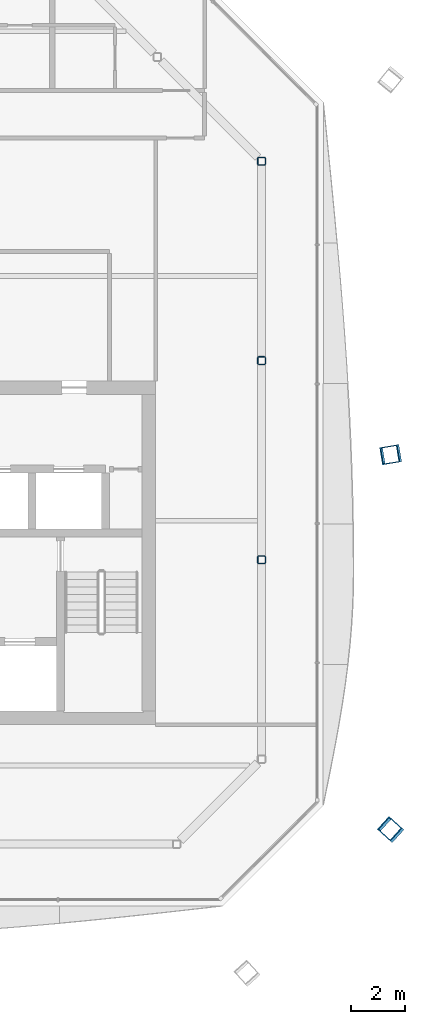
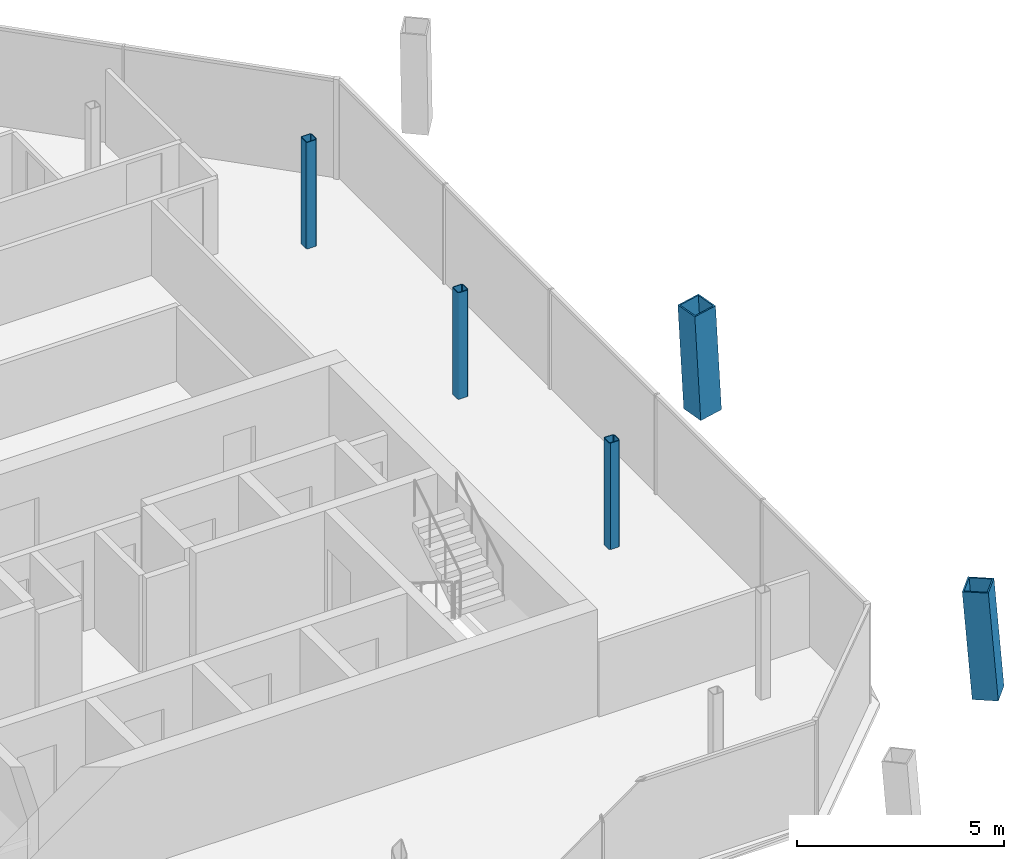
# One storey, part 2 of 17: 5 columns.
"""IFC4 building model written with IfcOpenShell, lengths in metres."""

from ifc_helpers import new_model, si_unit, direction, frame, origin, origin_2d, place, context, subcontext, project, spatial, hollow_rectangle, extrude, material, material_profile, profile_set, type_object, element, save


model = new_model("IFC4")

# Units and contexts
model_context = context("Model", 3, precision=1e-05, world=origin(), true_north=direction((0.0, 1.0)))
body_context = subcontext(model_context, "Body", "Model", "MODEL_VIEW")
ifc_project = project(units=[si_unit("LENGTHUNIT", "METRE"), si_unit("AREAUNIT", "SQUARE_METRE"), si_unit("VOLUMEUNIT", "CUBIC_METRE"), si_unit("PLANEANGLEUNIT", "RADIAN"), si_unit("MASSUNIT", "GRAM", prefix="KILO")], contexts=[model_context])

# Site, building, storey
site_placement = place(None, origin())
site = spatial("IfcSite", under=ifc_project, at=site_placement, CompositionType="ELEMENT")
building_placement = place(site_placement, origin())
building = spatial("IfcBuilding", under=site, at=building_placement, Name="Tskaro Facet Tower", CompositionType="ELEMENT")
storey_placement = place(building_placement, frame((0.0, 0.0, 232.949951171875)))
storey = spatial("IfcBuildingStorey", under=building, at=storey_placement, Name="L60", CompositionType="ELEMENT", Elevation=232.949951171875)

# Columns
ifc_material_1 = material(Name="Steel S355J2", Category="steel")
ifc_material_profile_1 = material_profile(ifc_material_1, hollow_rectangle(XDim=0.64990234375, YDim=0.64990234375, WallThickness=0.0400390625, at=origin_2d()), Name="BOX 650x650x40")
ifc_profile_set_1 = profile_set([ifc_material_profile_1], Name="Steel S355J2")
column_type_1 = type_object("IfcColumnType", Name="BOX 650x650x40 mega column", PredefinedType="COLUMN", material=ifc_profile_set_1)
column_1_placement = place(storey_placement, frame((18.172119140625, -15.885986328125, 0.0), z_axis=(-0.057947926538, 0.052539453395, 0.996936128168), x_axis=(-0.671688891833, -0.74083333658, 0.0)))
element("IfcColumn", 1, at=column_1_placement, inside=storey, type_object=column_type_1, Name="BOX 650x650x40 MC04/5", PredefinedType="COLUMN", context=body_context, shape_type="SweptSolid", body=[
    extrude(hollow_rectangle(XDim=0.64990234375, YDim=0.64990234375, WallThickness=0.0400390625, at=origin_2d()), origin(), (0.0, 0.0, 1.0), 3.159912109375),
])
column_2_placement = place(storey_placement, frame((18.172119140625, -2.06201171875, 0.0), z_axis=(-0.058025444561, -0.009516172908, 0.998269748233), x_axis=(0.161838042552, -0.986817332632, 0.0)))
element("IfcColumn", 2, at=column_2_placement, inside=storey, type_object=column_type_1, Name="BOX 650x650x40 MC05/5", PredefinedType="COLUMN", context=body_context, shape_type="SweptSolid", body=[
    extrude(hollow_rectangle(XDim=0.64990234375, YDim=0.64990234375, WallThickness=0.0400390625, at=origin_2d()), origin(), (0.0, 0.0, 1.0), 3.155517578125),
])
ifc_material_2 = material(Name="Steel S355J2H", Category="steel")
ifc_material_profile_2 = material_profile(ifc_material_2, hollow_rectangle(XDim=0.300048828125, YDim=0.300048828125, WallThickness=0.02001953125, InnerFilletRadius=0.030029296875, OuterFilletRadius=0.050048828125, at=origin_2d()), Name="SHS 300x300x20")
ifc_profile_set_2 = profile_set([ifc_material_profile_2], Name="Steel S355J2H")
column_type_2 = type_object("IfcColumnType", Name="SHS 300x300x20 ring column", PredefinedType="COLUMN", material=ifc_profile_set_2)
for number, where, z_axis, x_axis, name in (
    (3, (13.39111328125, -5.93701171875, 0.0), (0.0, 0.0, 1.0), (1.0, 0.0, 0.0), "SHS 300x300x20 RE-2/5"),
    (4, (13.39111328125, 1.39404296875, 0.0), (0.0, 0.0, 1.0), (1.0, 0.0, 0.0), "SHS 300x300x20 RE-3/5"),
    (5, (13.39111328125, 8.72509765625, 0.0), (0.0, 0.0, 1.0), (1.0, 0.0, 0.0), "SHS 300x300x20 RNE-1/5"),
):
    element("IfcColumn", number, at=place(storey_placement, frame(where, z_axis=z_axis, x_axis=x_axis)), inside=storey, type_object=column_type_2, Name=name, PredefinedType="COLUMN", context=body_context, shape_type="SweptSolid", body=[
        extrude(hollow_rectangle(XDim=0.300048828125, YDim=0.300048828125, WallThickness=0.02001953125, InnerFilletRadius=0.030029296875, OuterFilletRadius=0.050048828125, at=origin_2d()), origin(), (0.0, 0.0, 1.0), 3.150146484375),
    ])

save(model, "model.ifc")
